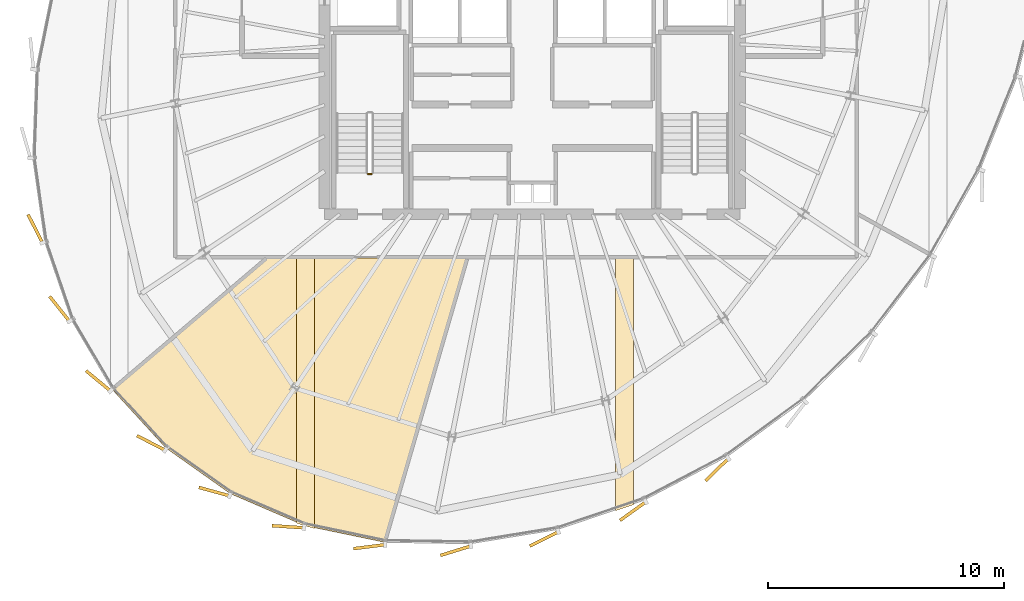
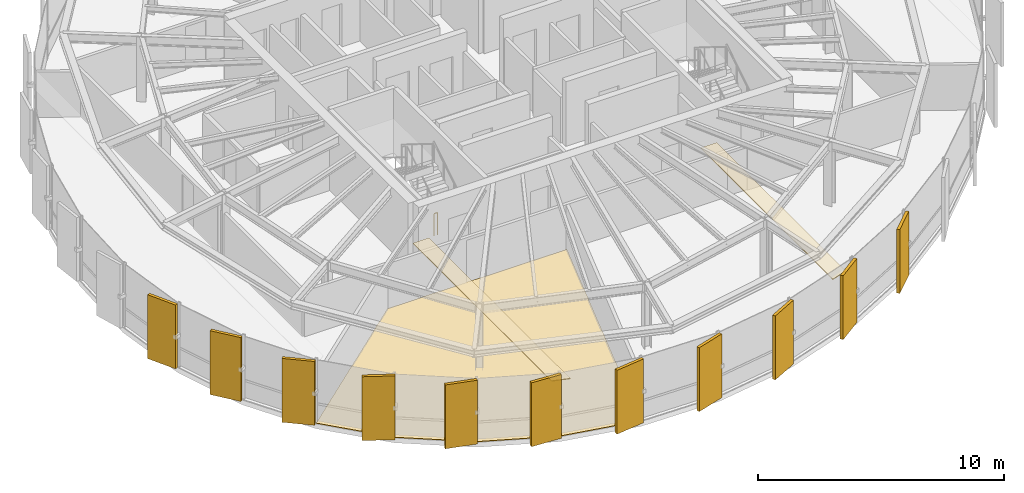
# One storey, part 30 of 34: 14 coverings, 1 railing.
"""IFC4 building model written with IfcOpenShell, lengths in metres."""

from ifc_helpers import new_model, si_unit, direction, frame, origin, origin_2d, place, context, subcontext, project, spatial, polyline, rectangle, circle, outline, extrude, source, transform, mapped, material, layer, layer_set, type_object, element, save


model = new_model("IFC4")

# Units and contexts
model_context = context("Model", 3, precision=1e-05, world=origin(), true_north=direction((0.0, 1.0)))
body_context = subcontext(model_context, "Body", "Model", "MODEL_VIEW")
ifc_project = project(units=[si_unit("LENGTHUNIT", "METRE"), si_unit("AREAUNIT", "SQUARE_METRE"), si_unit("VOLUMEUNIT", "CUBIC_METRE"), si_unit("PLANEANGLEUNIT", "RADIAN"), si_unit("MASSUNIT", "GRAM", prefix="KILO"), si_unit("THERMODYNAMICTEMPERATUREUNIT", "KELVIN")], contexts=[model_context])

# Site, building, storey
site_placement = place(None, origin())
site = spatial("IfcSite", under=ifc_project, at=site_placement, CompositionType="ELEMENT")
building_placement = place(site_placement, origin())
building = spatial("IfcBuilding", under=site, at=building_placement, Name="Kethvar Cultural Tower", CompositionType="ELEMENT")
storey_placement = place(building_placement, frame((0.0, 0.0, 231.85009765625)))
storey = spatial("IfcBuildingStorey", under=building, at=storey_placement, Name="L60", CompositionType="ELEMENT", Elevation=231.85009765625)

# Coverings
ifc_material_1 = material(Name="Acoustic Mineral Fibre Ceiling")
ifc_layer_1 = layer(ifc_material_1, 0.0400390625, Name="Acoustic Mineral Fibre Ceiling")
ifc_layer_set_1 = layer_set([ifc_layer_1], Name="Acoustic Mineral Fibre Ceiling (40 mm)")
covering_type_1 = type_object("IfcCoveringType", Name="CV-ACOUSTIC-CEIL", PredefinedType="CEILING", material=ifc_layer_set_1)
covering_1_placement = place(storey_placement, frame((0.0, 0.0, 2.77978515625)))
element("IfcCovering", 1, at=covering_1_placement, inside=storey, type_object=covering_type_1, Name="L60 Room 01 Acoustic Ceiling Panel", PredefinedType="CEILING", context=body_context, shape_type="SweptSolid", body=[
    extrude(outline(polyline([(37.572265625, 6.78076171875), (36.822265625, 7.00732421875), (36.822265625, 18.2890625), (37.572265625, 18.2890625), (37.572265625, 6.78076171875)])), origin(), (0.0, 0.0, 1.0), 0.0400390625),
])
covering_2_placement = place(storey_placement, frame((0.0, 0.0, 2.77978515625)))
element("IfcCovering", 2, at=covering_2_placement, inside=storey, type_object=covering_type_1, Name="L60 Room 02 Acoustic Ceiling Panel", PredefinedType="CEILING", context=body_context, shape_type="SweptSolid", body=[
    extrude(outline(polyline([(50.33642578125, 7.53466796875), (50.33642578125, 18.2890625), (51.08642578125, 18.2890625), (51.08642578125, 7.7890625), (50.33642578125, 7.53466796875)])), origin(), (0.0, 0.0, 1.0), 0.0400390625),
])
ifc_material_2 = material(Name="Architectural Oak Timber", Category="wood")
ifc_layer_2 = layer(ifc_material_2, 0.02490234375, Name="Architectural Oak Timber", Category="wood")
ifc_layer_set_2 = layer_set([ifc_layer_2], Name="Architectural Oak Timber (25 mm)")
covering_type_2 = type_object("IfcCoveringType", Name="CV-OAK-FLOOR", PredefinedType="FLOORING", material=ifc_layer_set_2)
covering_3_placement = place(storey_placement, origin())
element("IfcCovering", 3, at=covering_3_placement, inside=storey, type_object=covering_type_2, Name="L60 Room 01 Floor Finish", PredefinedType="FLOORING", context=body_context, shape_type="SweptSolid", body=[
    extrude(outline(polyline([(37.150634765625, 6.909423828125), (34.02197265625, 8.2568359375), (31.281494140625, 10.19775390625), (29.025146484375, 12.659423828125), (35.5986328125, 18.2490234375), (44.027587890625, 18.2490234375), (40.55615234375, 6.2001953125), (37.150634765625, 6.909423828125)])), origin(), (0.0, 0.0, 1.0), 0.02490234375),
])

# Railing
ifc_material_3 = material(Name="Steel S355J2", Category="steel")
railing_type = type_object("IfcRailingType", Name="RL-STAIR-GUARD", PredefinedType="BALUSTRADE", material=ifc_material_3)
railing_placement = place(storey_placement, frame((40.0, 21.800048828125, 0.0)))
element("IfcRailing", 4, at=railing_placement, inside=storey, type_object=railing_type, Name="L60 ST-01 stair guard 4", PredefinedType="BALUSTRADE", context=body_context, shape_type="SweptSolid", body=[
    extrude(circle(Radius=0.02392578125, at=origin_2d()), frame((0.0, 0.0, 1.09619140625), z_axis=(-1.0, 0.0, 0.0), x_axis=(0.0, -1.0, 0.0)), (0.0, 0.0, 1.0), 0.159912109375),
    extrude(circle(Radius=0.02099609375, at=origin_2d()), origin(), (0.0, 0.0, 1.0), 1.072021484375),
    extrude(circle(Radius=0.02099609375, at=origin_2d()), frame((-0.159912109375, 0.0, 0.0)), (0.0, 0.0, 1.0), 1.072021484375),
])

# Coverings
ifc_material_4 = material(Name="Extruded Architectural Terracotta", Category="masonry")
ifc_layer_3 = layer(ifc_material_4, 0.135009765625, Name="Extruded Architectural Terracotta", Category="masonry")
ifc_layer_set_3 = layer_set([ifc_layer_3], Name="Extruded Architectural Terracotta (135 mm)")
covering_type_3 = type_object("IfcCoveringType", Name="Terracotta Facade Fin FIN-03", PredefinedType="CLADDING", material=ifc_layer_set_3)
shared_shape = source(origin(), body_context, "Body", "SweptSolid", [
    extrude(rectangle(XDim=1.35009765625, YDim=0.135009765625, at=origin_2d()), origin(), (0.0, 0.0, 1.0), 3.169921875),
])
for number, where, z_axis, x_axis, name in (
    (5, (25.74609375, 19.48486328125, 0.02001953125), (0.0, 0.0, 1.0), (-0.453523907604, 0.89124411091, 0.0), "L60 Vertical Terracotta Fin 3.4"),
    (6, (26.7763671875, 16.087646484375, 0.02001953125), (0.0, 0.0, 1.0), (-0.622514636638, 0.782608156852, 0.0), "L60 Vertical Terracotta Fin 3.5"),
    (7, (28.41650390625, 13.03662109375, 0.02001953125), (0.0, 0.0, 1.0), (-0.771735588227, 0.635943536695, 0.0), "L60 Vertical Terracotta Fin 3.6"),
    (8, (30.6513671875, 10.406494140625, 0.02001953125), (0.0, 0.0, 1.0), (-0.888537169673, 0.458804640463, 0.0), "L60 Vertical Terracotta Fin 4.1"),
    (9, (33.329345703125, 8.343994140625, 0.02001953125), (0.0, 0.0, 1.0), (-0.964557418458, 0.263873049965, 0.0), "L60 Vertical Terracotta Fin 4.2"),
    (10, (36.45458984375, 6.8564453125, 0.02001953125), (0.0, 0.0, 1.0), (-0.997836032447, 0.065751443712, 0.0), "L60 Vertical Terracotta Fin 4.3"),
    (11, (39.899169921875, 6.01318359375, 0.02001953125), (0.0, 0.0, 1.0), (-0.992331937885, -0.12360147674, 0.0), "L60 Vertical Terracotta Fin 4.4"),
    (12, (43.553466796875, 5.8408203125, 0.02001953125), (0.0, 0.0, 1.0), (-0.954968173643, -0.296708252883, 0.0), "L60 Vertical Terracotta Fin 4.5"),
    (13, (47.302734375, 6.342529296875, 0.02001953125), (0.0, 0.0, 1.0), (-0.893057486807, -0.449942579956, 0.0), "L60 Vertical Terracotta Fin 4.6"),
    (14, (51.06201171875, 7.5166015625, 0.02001953125), (0.0, 0.0, 1.0), (-0.812287171722, -0.583257705184, 0.0), "L60 Vertical Terracotta Fin 5.1"),
    (15, (54.62255859375, 9.274658203125, 0.02001953125), (0.0, 0.0, 1.0), (-0.716788918467, -0.697290216741, 0.0), "L60 Vertical Terracotta Fin 5.2"),
):
    element("IfcCovering", number, at=place(storey_placement, frame(where, z_axis=z_axis, x_axis=x_axis)), inside=storey, type_object=covering_type_3, Name=name, PredefinedType="CLADDING", context=body_context, shape_type="MappedRepresentation", body=[
        mapped(shared_shape, transform((0.0, 0.0, 0.0), scale=1.0)),
    ])

save(model, "model.ifc")
